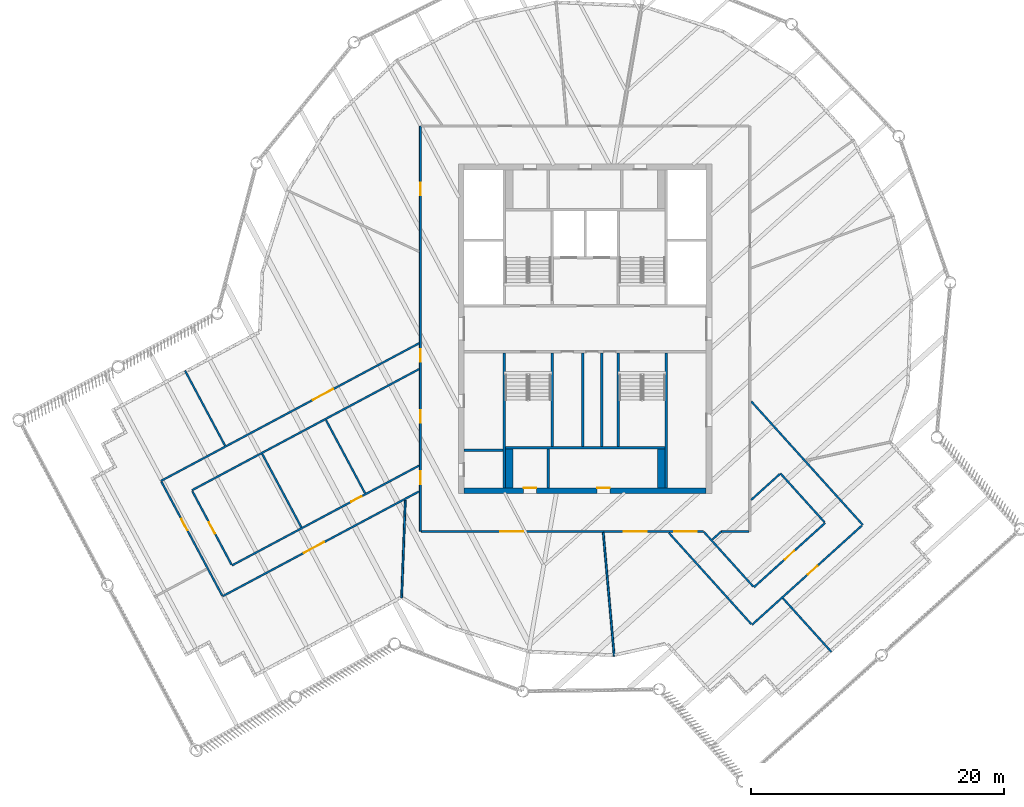
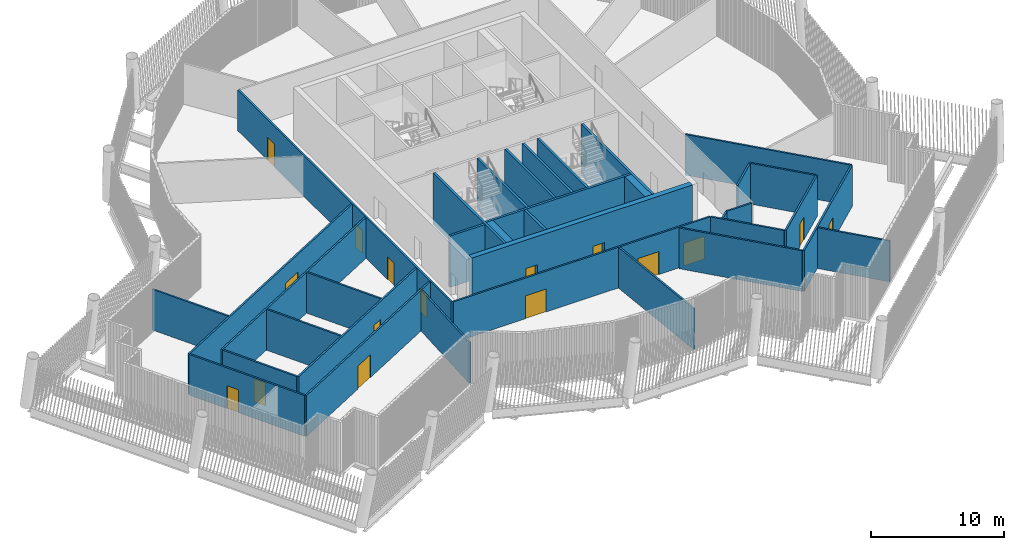
# One storey, part 3 of 21: 35 walls, 16 doors, 16 openings.
"""IFC4 building model written with IfcOpenShell, lengths in metres."""

from ifc_helpers import new_model, si_unit, direction, frame, frame_2d, origin, place, context, subcontext, project, spatial, rectangle, extrude, material, layer, layer_set, type_object, element, fill, save


model = new_model("IFC4")

# Units and contexts
model_context = context("Model", 3, precision=1e-05, world=origin(), true_north=direction((0.0, 1.0)))
body_context = subcontext(model_context, "Body", "Model", "MODEL_VIEW")
ifc_project = project(units=[si_unit("LENGTHUNIT", "METRE"), si_unit("AREAUNIT", "SQUARE_METRE"), si_unit("VOLUMEUNIT", "CUBIC_METRE"), si_unit("PLANEANGLEUNIT", "RADIAN"), si_unit("MASSUNIT", "GRAM", prefix="KILO")], contexts=[model_context])

# Site, building, storey
site_placement = place(None, origin())
site = spatial("IfcSite", under=ifc_project, at=site_placement, CompositionType="ELEMENT")
building_placement = place(site_placement, origin())
building = spatial("IfcBuilding", under=site, at=building_placement, Name="Tarsis Ring Headquarters", CompositionType="ELEMENT")
storey_placement = place(building_placement, frame((0.0, 0.0, 398.60009765625)))
storey = spatial("IfcBuildingStorey", under=building, at=storey_placement, Name="L94", CompositionType="ELEMENT", Elevation=398.60009765625)

# Walls
ifc_material_1 = material(Name="Blockwork", Category="masonry")
ifc_layer_1 = layer(ifc_material_1, 0.199951171875)
ifc_layer_set_1 = layer_set([ifc_layer_1], Name="Core blockwork wall 200")
wall_type_1 = type_object("IfcWallType", Name="Core blockwork wall 200", PredefinedType="PARTITIONING", material=ifc_layer_set_1)
for number, where, z_axis, x_axis, name in (
    (1, (-9.550048828125, -9.60009765625, 0.0), (0.0, 0.0, 1.0), (1.0, 0.0, 0.0), "Core partition WD1"),
    (2, (-2.89990234375, -12.550048828125, 0.0), (0.0, 0.0, 1.0), (0.0, 1.0, 0.0), "Core partition SD1"),
):
    element("IfcWall", number, at=place(storey_placement, frame(where, z_axis=z_axis, x_axis=x_axis)), inside=storey, type_object=wall_type_1, Name=name, PredefinedType="PARTITIONING", context=body_context, shape_type="SweptSolid", body=[
        extrude(rectangle(XDim=3.050048828125, YDim=0.199951171875, at=frame_2d((1.52490234375, 0.0))), origin(), (0.0, 0.0, 1.0), 4.699951171875),
    ])
for number, where, z_axis, x_axis, name in (
    (3, (-0.199951171875, -9.300048828125, 0.0), (0.0, 0.0, 1.0), (0.0, 1.0, 0.0), "Core partition SV1"),
    (4, (1.300048828125, -9.300048828125, 0.0), (0.0, 0.0, 1.0), (0.0, 1.0, 0.0), "Core partition SV2"),
):
    element("IfcWall", number, at=place(storey_placement, frame(where, z_axis=z_axis, x_axis=x_axis)), inside=storey, type_object=wall_type_1, Name=name, PredefinedType="PARTITIONING", context=body_context, shape_type="SweptSolid", body=[
        extrude(rectangle(XDim=7.400146484375, YDim=0.199951171875, at=frame_2d((3.7001953125, 0.0))), origin(), (0.0, 0.0, 1.0), 4.699951171875),
    ])

# Wall, openings, doors
ifc_material_2 = material(Name="Concrete C50/60", Category="concrete")
ifc_layer_2 = layer(ifc_material_2, 0.449951171875)
ifc_layer_set_2 = layer_set([ifc_layer_2], Name="Core wall 450 C50/60")
wall_type_2 = type_object("IfcWallType", Name="Core wall 450 C50/60", PredefinedType="SHEAR", material=ifc_layer_set_2)
wall_1_placement = place(storey_placement, frame((-9.550048828125, -12.77490234375, 0.0), z_axis=(0.0, 0.0, 1.0), x_axis=(1.0, 0.0, 0.0)))
wall_1 = element("IfcWall", 5, at=wall_1_placement, inside=storey, type_object=wall_type_2, Name="Core wall OS", PredefinedType="SHEAR", context=body_context, shape_type="SweptSolid", body=[
    extrude(rectangle(XDim=19.10009765625, YDim=0.449951171875, at=frame_2d((9.550048828125, 0.0))), origin(), (0.0, 0.0, 1.0), 4.699951171875),
])
opening_1_placement = place(wall_1_placement, frame((4.699951171875, 0.0, 0.0)))
opening_1 = element("IfcOpeningElement", 6, at=opening_1_placement, cuts=wall_1, Name="Opening L94-C09", PredefinedType="OPENING", context=body_context, shape_type="SweptSolid", body=[
    extrude(rectangle(XDim=1.0, YDim=2.10009765625, at=frame_2d((0.5, 1.050048828125))), frame((0.0, 0.23486328125, 0.0), z_axis=(0.0, -1.0, 0.0), x_axis=(1.0, 0.0, 0.0)), (0.0, 0.0, 1.0), 0.469970703125),
])
opening_2_placement = place(wall_1_placement, frame((10.5, 0.0, 0.0)))
opening_2 = element("IfcOpeningElement", 7, at=opening_2_placement, cuts=wall_1, Name="Opening L94-C10", PredefinedType="OPENING", context=body_context, shape_type="SweptSolid", body=[
    extrude(rectangle(XDim=1.0, YDim=2.10009765625, at=frame_2d((0.5, 1.050048828125))), frame((0.0, 0.23486328125, 0.0), z_axis=(0.0, -1.0, 0.0), x_axis=(1.0, 0.0, 0.0)), (0.0, 0.0, 1.0), 0.469970703125),
])
ifc_material_3 = material(Name="Steel S355", Category="steel")
door_type_1 = type_object("IfcDoorType", Name="Core room door 1000x2100", OperationType="SINGLE_SWING_LEFT", PredefinedType="DOOR", material=ifc_material_3)
door_1_placement = place(opening_1_placement, origin())
door_1 = element("IfcDoor", 8, at=door_1_placement, inside=storey, type_object=door_type_1, Name="Core room door L94", OperationType="SINGLE_SWING_LEFT", OverallHeight=2.10009765625, OverallWidth=1.0, PredefinedType="DOOR", context=body_context, shape_type="SweptSolid", body=[
    extrude(rectangle(XDim=1.0, YDim=2.10009765625, at=frame_2d((0.5, 1.050048828125))), frame((0.0, 0.22509765625, 0.0), z_axis=(0.0, -1.0, 0.0), x_axis=(1.0, 0.0, 0.0)), (0.0, 0.0, 1.0), 0.050048828125),
])
fill(opening_1, door_1)
door_2_placement = place(opening_2_placement, origin())
door_2 = element("IfcDoor", 9, at=door_2_placement, inside=storey, type_object=door_type_1, Name="Core room door L94", OperationType="SINGLE_SWING_LEFT", OverallHeight=2.10009765625, OverallWidth=1.0, PredefinedType="DOOR", context=body_context, shape_type="SweptSolid", body=[
    extrude(rectangle(XDim=1.0, YDim=2.10009765625, at=frame_2d((0.5, 1.050048828125))), frame((0.0, 0.22509765625, 0.0), z_axis=(0.0, -1.0, 0.0), x_axis=(1.0, 0.0, 0.0)), (0.0, 0.0, 1.0), 0.050048828125),
])
fill(opening_2, door_2)

ifc_material_4 = material(Name="Gypsum board on steel studs", Category="steel")
ifc_layer_3 = layer(ifc_material_4, 0.14990234375)
ifc_layer_set_3 = layer_set([ifc_layer_3], Name="FL partition 150 EI 120 H3730")
wall_type_3 = type_object("IfcWallType", Name="FL partition 150 EI 120 H3730", PredefinedType="PARTITIONING", material=ifc_layer_set_3)
wall_2_placement = place(storey_placement, frame((-13.0, -16.0, 0.0), z_axis=(0.0, 0.0, 1.0), x_axis=(0.0, 1.0, 0.0)))
wall_2 = element("IfcWall", 10, at=wall_2_placement, inside=storey, type_object=wall_type_3, Name="Partition PW2H373", PredefinedType="PARTITIONING", context=body_context, shape_type="SweptSolid", body=[
    extrude(rectangle(XDim=32.0, YDim=0.14990234375, at=frame_2d((16.0, 0.0))), origin(), (0.0, 0.0, 1.0), 3.72998046875),
])
opening_3_placement = place(wall_2_placement, frame((26.52001953125, 0.0, 0.0)))
opening_3 = element("IfcOpeningElement", 11, at=opening_3_placement, cuts=wall_2, Name="Opening D94.04", PredefinedType="OPENING", context=body_context, shape_type="SweptSolid", body=[
    extrude(rectangle(XDim=1.0, YDim=2.10009765625, at=frame_2d((0.5, 1.050048828125))), frame((0.0, 0.0849609375, 0.0), z_axis=(0.0, -1.0, 0.0), x_axis=(1.0, 0.0, 0.0)), (0.0, 0.0, 1.0), 0.169921875),
])
opening_4_placement = place(wall_2_placement, frame((8.564453125, 0.0, 0.0)))
opening_4 = element("IfcOpeningElement", 12, at=opening_4_placement, cuts=wall_2, Name="Opening D94.13", PredefinedType="OPENING", context=body_context, shape_type="SweptSolid", body=[
    extrude(rectangle(XDim=1.0, YDim=2.10009765625, at=frame_2d((0.5, 1.050048828125))), frame((0.0, 0.0849609375, 0.0), z_axis=(0.0, -1.0, 0.0), x_axis=(1.0, 0.0, 0.0)), (0.0, 0.0, 1.0), 0.169921875),
])
opening_5_placement = place(wall_2_placement, frame((3.736083984375, 0.0, 0.0)))
opening_5 = element("IfcOpeningElement", 13, at=opening_5_placement, cuts=wall_2, Name="Opening D94.19", PredefinedType="OPENING", context=body_context, shape_type="SweptSolid", body=[
    extrude(rectangle(XDim=1.0, YDim=2.10009765625, at=frame_2d((0.5, 1.050048828125))), frame((0.0, 0.0849609375, 0.0), z_axis=(0.0, -1.0, 0.0), x_axis=(1.0, 0.0, 0.0)), (0.0, 0.0, 1.0), 0.169921875),
])
opening_6_placement = place(wall_2_placement, frame((13.392822265625, 0.0, 0.0)))
opening_6 = element("IfcOpeningElement", 14, at=opening_6_placement, cuts=wall_2, Name="Opening D94.20", PredefinedType="OPENING", context=body_context, shape_type="SweptSolid", body=[
    extrude(rectangle(XDim=1.0, YDim=2.10009765625, at=frame_2d((0.5, 1.050048828125))), frame((0.0, 0.0849609375, 0.0), z_axis=(0.0, -1.0, 0.0), x_axis=(1.0, 0.0, 0.0)), (0.0, 0.0, 1.0), 0.169921875),
])
ifc_material_5 = material(Name="Fire-rated timber door leaf in steel frame", Category="steel")
door_type_2 = type_object("IfcDoorType", Name="FL door FD120-1000", OperationType="NOTDEFINED", PredefinedType="DOOR", material=ifc_material_5)
door_3_placement = place(opening_3_placement, origin())
door_3 = element("IfcDoor", 15, at=door_3_placement, inside=storey, type_object=door_type_2, Name="Door D94.04", OperationType="SINGLE_SWING_RIGHT", OverallHeight=2.10009765625, OverallWidth=1.0, PredefinedType="DOOR", context=body_context, shape_type="SweptSolid", body=[
    extrude(rectangle(XDim=1.0, YDim=2.10009765625, at=frame_2d((0.5, 1.050048828125))), frame((0.0, 0.02490234375, 0.0), z_axis=(0.0, -1.0, 0.0), x_axis=(1.0, 0.0, 0.0)), (0.0, 0.0, 1.0), 0.050048828125),
])
fill(opening_3, door_3)
door_4_placement = place(opening_4_placement, origin())
door_4 = element("IfcDoor", 16, at=door_4_placement, inside=storey, type_object=door_type_2, Name="Door D94.13", OperationType="SINGLE_SWING_LEFT", OverallHeight=2.10009765625, OverallWidth=1.0, PredefinedType="DOOR", context=body_context, shape_type="SweptSolid", body=[
    extrude(rectangle(XDim=1.0, YDim=2.10009765625, at=frame_2d((0.5, 1.050048828125))), frame((0.0, 0.02490234375, 0.0), z_axis=(0.0, -1.0, 0.0), x_axis=(1.0, 0.0, 0.0)), (0.0, 0.0, 1.0), 0.050048828125),
])
fill(opening_4, door_4)
door_5_placement = place(opening_5_placement, origin())
door_5 = element("IfcDoor", 17, at=door_5_placement, inside=storey, type_object=door_type_2, Name="Door D94.19", OperationType="SINGLE_SWING_LEFT", OverallHeight=2.10009765625, OverallWidth=1.0, PredefinedType="DOOR", context=body_context, shape_type="SweptSolid", body=[
    extrude(rectangle(XDim=1.0, YDim=2.10009765625, at=frame_2d((0.5, 1.050048828125))), frame((0.0, 0.02490234375, 0.0), z_axis=(0.0, -1.0, 0.0), x_axis=(1.0, 0.0, 0.0)), (0.0, 0.0, 1.0), 0.050048828125),
])
fill(opening_5, door_5)
door_6_placement = place(opening_6_placement, origin())
door_6 = element("IfcDoor", 18, at=door_6_placement, inside=storey, type_object=door_type_2, Name="Door D94.20", OperationType="SINGLE_SWING_RIGHT", OverallHeight=2.10009765625, OverallWidth=1.0, PredefinedType="DOOR", context=body_context, shape_type="SweptSolid", body=[
    extrude(rectangle(XDim=1.0, YDim=2.10009765625, at=frame_2d((0.5, 1.050048828125))), frame((0.0, 0.02490234375, 0.0), z_axis=(0.0, -1.0, 0.0), x_axis=(1.0, 0.0, 0.0)), (0.0, 0.0, 1.0), 0.050048828125),
])
fill(opening_6, door_6)

# Wall, opening, door
wall_3_placement = place(storey_placement, frame((-33.476806640625, -12.011474609375, 0.0), z_axis=(0.0, 0.0, 1.0), x_axis=(0.882290586613, 0.47070513145, 0.0)))
wall_3 = element("IfcWall", 19, at=wall_3_placement, inside=storey, type_object=wall_type_3, Name="Partition PW2H373", PredefinedType="PARTITIONING", context=body_context, shape_type="SweptSolid", body=[
    extrude(rectangle(XDim=23.088623046875, YDim=0.14990234375, at=frame_2d((11.54443359375, 0.0))), origin(), (0.0, 0.0, 1.0), 3.72998046875),
])
opening_7_placement = place(wall_3_placement, frame((13.587158203125, 0.0, 0.0)))
opening_7 = element("IfcOpeningElement", 20, at=opening_7_placement, cuts=wall_3, Name="Opening D94.03", PredefinedType="OPENING", context=body_context, shape_type="SweptSolid", body=[
    extrude(rectangle(XDim=1.800048828125, YDim=2.10009765625, at=frame_2d((0.89990234375, 1.050048828125))), frame((0.0, 0.0849609375, 0.0), z_axis=(0.0, -1.0, 0.0), x_axis=(1.0, 0.0, 0.0)), (0.0, 0.0, 1.0), 0.169921875),
])
door_type_3 = type_object("IfcDoorType", Name="FL door FD120-1800", OperationType="DOUBLE_DOOR_SINGLE_SWING", PredefinedType="DOOR", material=ifc_material_5)
door_7_placement = place(opening_7_placement, origin())
door_7 = element("IfcDoor", 21, at=door_7_placement, inside=storey, type_object=door_type_3, Name="Door D94.03", OperationType="DOUBLE_DOOR_SINGLE_SWING", OverallHeight=2.10009765625, OverallWidth=1.800048828125, PredefinedType="DOOR", context=body_context, shape_type="SweptSolid", body=[
    extrude(rectangle(XDim=1.800048828125, YDim=2.10009765625, at=frame_2d((0.89990234375, 1.050048828125))), frame((0.0, 0.02490234375, 0.0), z_axis=(0.0, -1.0, 0.0), x_axis=(1.0, 0.0, 0.0)), (0.0, 0.0, 1.0), 0.050048828125),
])
fill(opening_7, door_7)

# Wall, openings, doors
wall_4_placement = place(storey_placement, frame((-12.919921875, -16.0, 0.0), z_axis=(0.0, 0.0, 1.0), x_axis=(1.0, 0.0, 0.0)))
wall_4 = element("IfcWall", 22, at=wall_4_placement, inside=storey, type_object=wall_type_3, Name="Partition PW2H373", PredefinedType="PARTITIONING", context=body_context, shape_type="SweptSolid", body=[
    extrude(rectangle(XDim=22.260498046875, YDim=0.14990234375, at=frame_2d((11.13037109375, 0.0))), origin(), (0.0, 0.0, 1.0), 3.72998046875),
])
opening_8_placement = place(wall_4_placement, frame((15.98681640625, 0.0, 0.0)))
opening_8 = element("IfcOpeningElement", 23, at=opening_8_placement, cuts=wall_4, Name="Opening D94.11", PredefinedType="OPENING", context=body_context, shape_type="SweptSolid", body=[
    extrude(rectangle(XDim=1.800048828125, YDim=2.10009765625, at=frame_2d((0.89990234375, 1.050048828125))), frame((0.0, 0.0849609375, 0.0), z_axis=(0.0, -1.0, 0.0), x_axis=(1.0, 0.0, 0.0)), (0.0, 0.0, 1.0), 0.169921875),
])
opening_9_placement = place(wall_4_placement, frame((6.231201171875, 0.0, 0.0)))
opening_9 = element("IfcOpeningElement", 24, at=opening_9_placement, cuts=wall_4, Name="Opening D94.12", PredefinedType="OPENING", context=body_context, shape_type="SweptSolid", body=[
    extrude(rectangle(XDim=1.800048828125, YDim=2.10009765625, at=frame_2d((0.89990234375, 1.050048828125))), frame((0.0, 0.0849609375, 0.0), z_axis=(0.0, -1.0, 0.0), x_axis=(1.0, 0.0, 0.0)), (0.0, 0.0, 1.0), 0.169921875),
])
opening_10_placement = place(wall_4_placement, frame((19.94580078125, 0.0, 0.0)))
opening_10 = element("IfcOpeningElement", 25, at=opening_10_placement, cuts=wall_4, Name="Opening D94.17", PredefinedType="OPENING", context=body_context, shape_type="SweptSolid", body=[
    extrude(rectangle(XDim=1.800048828125, YDim=2.10009765625, at=frame_2d((0.89990234375, 1.050048828125))), frame((0.0, 0.0849609375, 0.0), z_axis=(0.0, -1.0, 0.0), x_axis=(1.0, 0.0, 0.0)), (0.0, 0.0, 1.0), 0.169921875),
])
door_8_placement = place(opening_8_placement, origin())
door_8 = element("IfcDoor", 26, at=door_8_placement, inside=storey, type_object=door_type_3, Name="Door D94.11", OperationType="DOUBLE_DOOR_SINGLE_SWING", OverallHeight=2.10009765625, OverallWidth=1.800048828125, PredefinedType="DOOR", context=body_context, shape_type="SweptSolid", body=[
    extrude(rectangle(XDim=1.800048828125, YDim=2.10009765625, at=frame_2d((0.89990234375, 1.050048828125))), frame((0.0, 0.02490234375, 0.0), z_axis=(0.0, -1.0, 0.0), x_axis=(1.0, 0.0, 0.0)), (0.0, 0.0, 1.0), 0.050048828125),
])
fill(opening_8, door_8)
door_9_placement = place(opening_9_placement, origin())
door_9 = element("IfcDoor", 27, at=door_9_placement, inside=storey, type_object=door_type_3, Name="Door D94.12", OperationType="DOUBLE_DOOR_SINGLE_SWING", OverallHeight=2.10009765625, OverallWidth=1.800048828125, PredefinedType="DOOR", context=body_context, shape_type="SweptSolid", body=[
    extrude(rectangle(XDim=1.800048828125, YDim=2.10009765625, at=frame_2d((0.89990234375, 1.050048828125))), frame((0.0, 0.02490234375, 0.0), z_axis=(0.0, -1.0, 0.0), x_axis=(1.0, 0.0, 0.0)), (0.0, 0.0, 1.0), 0.050048828125),
])
fill(opening_9, door_9)
door_10_placement = place(opening_10_placement, origin())
door_10 = element("IfcDoor", 28, at=door_10_placement, inside=storey, type_object=door_type_3, Name="Door D94.17", OperationType="DOUBLE_DOOR_SINGLE_SWING", OverallHeight=2.10009765625, OverallWidth=1.800048828125, PredefinedType="DOOR", context=body_context, shape_type="SweptSolid", body=[
    extrude(rectangle(XDim=1.800048828125, YDim=2.10009765625, at=frame_2d((0.89990234375, 1.050048828125))), frame((0.0, 0.02490234375, 0.0), z_axis=(0.0, -1.0, 0.0), x_axis=(1.0, 0.0, 0.0)), (0.0, 0.0, 1.0), 0.050048828125),
])
fill(opening_10, door_10)

# Wall
wall_5_placement = place(storey_placement, frame((-31.041259765625, -12.752197265625, 0.0), z_axis=(0.0, 0.0, 1.0), x_axis=(0.882289433991, 0.470707291921, 0.0)))
element("IfcWall", 29, at=wall_5_placement, inside=storey, type_object=wall_type_3, Name="Partition PW2H373", PredefinedType="PARTITIONING", context=body_context, shape_type="SweptSolid", body=[
    extrude(rectangle(XDim=20.328125, YDim=0.14990234375, at=frame_2d((10.1640625, 0.0))), origin(), (0.0, 0.0, 1.0), 3.72998046875),
])

# Wall, opening, door
wall_6_placement = place(storey_placement, frame((-28.618896484375, -21.11669921875, 0.0), z_axis=(0.0, 0.0, 1.0), x_axis=(0.882286821072, 0.470712189521, 0.0)))
wall_6 = element("IfcWall", 30, at=wall_6_placement, inside=storey, type_object=wall_type_3, Name="Partition PW2H373", PredefinedType="PARTITIONING", context=body_context, shape_type="SweptSolid", body=[
    extrude(rectangle(XDim=17.582763671875, YDim=0.14990234375, at=frame_2d((8.79150390625, 0.0))), origin(), (0.0, 0.0, 1.0), 3.72998046875),
])
opening_11_placement = place(wall_6_placement, frame((7.275390625, 0.0, 0.0)))
opening_11 = element("IfcOpeningElement", 31, at=opening_11_placement, cuts=wall_6, Name="Opening D94.01", PredefinedType="OPENING", context=body_context, shape_type="SweptSolid", body=[
    extrude(rectangle(XDim=1.800048828125, YDim=2.10009765625, at=frame_2d((0.89990234375, 1.050048828125))), frame((0.0, 0.0849609375, 0.0), z_axis=(0.0, -1.0, 0.0), x_axis=(1.0, 0.0, 0.0)), (0.0, 0.0, 1.0), 0.169921875),
])
door_11_placement = place(opening_11_placement, origin())
door_11 = element("IfcDoor", 32, at=door_11_placement, inside=storey, type_object=door_type_3, Name="Door D94.01", OperationType="DOUBLE_DOOR_SINGLE_SWING", OverallHeight=2.10009765625, OverallWidth=1.800048828125, PredefinedType="DOOR", context=body_context, shape_type="SweptSolid", body=[
    extrude(rectangle(XDim=1.800048828125, YDim=2.10009765625, at=frame_2d((0.89990234375, 1.050048828125))), frame((0.0, 0.02490234375, 0.0), z_axis=(0.0, -1.0, 0.0), x_axis=(1.0, 0.0, 0.0)), (0.0, 0.0, 1.0), 0.050048828125),
])
fill(opening_11, door_11)

wall_7_placement = place(storey_placement, frame((-27.878173828125, -18.681396484375, 0.0), z_axis=(0.0, 0.0, 1.0), x_axis=(0.882288753757, 0.470708566943, 0.0)))
wall_7 = element("IfcWall", 33, at=wall_7_placement, inside=storey, type_object=wall_type_3, Name="Partition PW2H373", PredefinedType="PARTITIONING", context=body_context, shape_type="SweptSolid", body=[
    extrude(rectangle(XDim=16.7431640625, YDim=0.14990234375, at=frame_2d((8.37158203125, 0.0))), origin(), (0.0, 0.0, 1.0), 3.72998046875),
])
opening_12_placement = place(wall_7_placement, frame((10.677490234375, 0.0, 0.0)))
opening_12 = element("IfcOpeningElement", 34, at=opening_12_placement, cuts=wall_7, Name="Opening D94.14", PredefinedType="OPENING", context=body_context, shape_type="SweptSolid", body=[
    extrude(rectangle(XDim=0.89990234375, YDim=2.10009765625, at=frame_2d((0.449951171875, 1.050048828125))), frame((0.0, 0.0849609375, 0.0), z_axis=(0.0, -1.0, 0.0), x_axis=(1.0, 0.0, 0.0)), (0.0, 0.0, 1.0), 0.169921875),
])
door_type_4 = type_object("IfcDoorType", Name="FL door FD120-900", OperationType="NOTDEFINED", PredefinedType="DOOR", material=ifc_material_5)
door_12_placement = place(opening_12_placement, origin())
door_12 = element("IfcDoor", 35, at=door_12_placement, inside=storey, type_object=door_type_4, Name="Door D94.14", OperationType="SINGLE_SWING_RIGHT", OverallHeight=2.10009765625, OverallWidth=0.89990234375, PredefinedType="DOOR", context=body_context, shape_type="SweptSolid", body=[
    extrude(rectangle(XDim=0.89990234375, YDim=2.10009765625, at=frame_2d((0.449951171875, 1.050048828125))), frame((0.0, 0.02490234375, 0.0), z_axis=(0.0, -1.0, 0.0), x_axis=(1.0, 0.0, 0.0)), (0.0, 0.0, 1.0), 0.050048828125),
])
fill(opening_12, door_12)

# Wall
wall_8_placement = place(storey_placement, frame((13.12060546875, -5.7421875, 0.0), z_axis=(0.0, 0.0, 1.0), x_axis=(0.67016818923, -0.742209268431, 0.0)))
element("IfcWall", 36, at=wall_8_placement, inside=storey, type_object=wall_type_3, Name="Partition PW2H373", PredefinedType="PARTITIONING", context=body_context, shape_type="SweptSolid", body=[
    extrude(rectangle(XDim=13.114990234375, YDim=0.14990234375, at=frame_2d((6.5576171875, 0.0))), origin(), (0.0, 0.0, 1.0), 3.72998046875),
])

# Wall, opening, door
wall_9_placement = place(storey_placement, frame((13.166748046875, -23.370849609375, 0.0), z_axis=(0.0, 0.0, 1.0), x_axis=(0.742215134242, 0.670161692804, 0.0)))
wall_9 = element("IfcWall", 37, at=wall_9_placement, inside=storey, type_object=wall_type_3, Name="Partition PW2H373", PredefinedType="PARTITIONING", context=body_context, shape_type="SweptSolid", body=[
    extrude(rectangle(XDim=11.699951171875, YDim=0.14990234375, at=frame_2d((5.85009765625, 0.0))), origin(), (0.0, 0.0, 1.0), 3.72998046875),
])
opening_13_placement = place(wall_9_placement, frame((5.95166015625, 0.0, 0.0)))
opening_13 = element("IfcOpeningElement", 38, at=opening_13_placement, cuts=wall_9, Name="Opening D94.10", PredefinedType="OPENING", context=body_context, shape_type="SweptSolid", body=[
    extrude(rectangle(XDim=1.0, YDim=2.10009765625, at=frame_2d((0.5, 1.050048828125))), frame((0.0, 0.0849609375, 0.0), z_axis=(0.0, -1.0, 0.0), x_axis=(1.0, 0.0, 0.0)), (0.0, 0.0, 1.0), 0.169921875),
])
door_13_placement = place(opening_13_placement, origin())
door_13 = element("IfcDoor", 39, at=door_13_placement, inside=storey, type_object=door_type_2, Name="Door D94.10", OperationType="SINGLE_SWING_RIGHT", OverallHeight=2.10009765625, OverallWidth=1.0, PredefinedType="DOOR", context=body_context, shape_type="SweptSolid", body=[
    extrude(rectangle(XDim=1.0, YDim=2.10009765625, at=frame_2d((0.5, 1.050048828125))), frame((0.0, 0.02490234375, 0.0), z_axis=(0.0, -1.0, 0.0), x_axis=(1.0, 0.0, 0.0)), (0.0, 0.0, 1.0), 0.050048828125),
])
fill(opening_13, door_13)

wall_10_placement = place(storey_placement, frame((-33.43896484375, -12.08203125, 0.0), z_axis=(0.0, 0.0, 1.0), x_axis=(0.470692997973, -0.882297059759, 0.0)))
wall_10 = element("IfcWall", 40, at=wall_10_placement, inside=storey, type_object=wall_type_3, Name="Partition PW2H373", PredefinedType="PARTITIONING", context=body_context, shape_type="SweptSolid", body=[
    extrude(rectangle(XDim=10.159912109375, YDim=0.14990234375, at=frame_2d((5.080078125, 0.0))), origin(), (0.0, 0.0, 1.0), 3.72998046875),
])
opening_14_placement = place(wall_10_placement, frame((3.333251953125, 0.0, 0.0)))
opening_14 = element("IfcOpeningElement", 41, at=opening_14_placement, cuts=wall_10, Name="Opening D94.02", PredefinedType="OPENING", context=body_context, shape_type="SweptSolid", body=[
    extrude(rectangle(XDim=1.0, YDim=2.10009765625, at=frame_2d((0.5, 1.050048828125))), frame((0.0, 0.0849609375, 0.0), z_axis=(0.0, -1.0, 0.0), x_axis=(1.0, 0.0, 0.0)), (0.0, 0.0, 1.0), 0.169921875),
])
door_14_placement = place(opening_14_placement, origin())
door_14 = element("IfcDoor", 42, at=door_14_placement, inside=storey, type_object=door_type_2, Name="Door D94.02", OperationType="SINGLE_SWING_RIGHT", OverallHeight=2.10009765625, OverallWidth=1.0, PredefinedType="DOOR", context=body_context, shape_type="SweptSolid", body=[
    extrude(rectangle(XDim=1.0, YDim=2.10009765625, at=frame_2d((0.5, 1.050048828125))), frame((0.0, 0.02490234375, 0.0), z_axis=(0.0, -1.0, 0.0), x_axis=(1.0, 0.0, 0.0)), (0.0, 0.0, 1.0), 0.050048828125),
])
fill(opening_14, door_14)

# Walls
wall_11_placement = place(storey_placement, frame((6.61181640625, -16.111328125, 0.0), z_axis=(0.0, 0.0, 1.0), x_axis=(0.6701624057, -0.742214490552, 0.0)))
element("IfcWall", 43, at=wall_11_placement, inside=storey, type_object=wall_type_3, Name="Partition PW2H373", PredefinedType="PARTITIONING", context=body_context, shape_type="SweptSolid", body=[
    extrude(rectangle(XDim=9.700927734375, YDim=0.14990234375, at=frame_2d((4.8505859375, 0.0))), origin(), (0.0, 0.0, 1.0), 3.72998046875),
])
wall_12_placement = place(storey_placement, frame((1.429443359375, -16.07958984375, 0.0), z_axis=(0.0, 0.0, 1.0), x_axis=(0.088544182237, -0.996072250287, 0.0)))
element("IfcWall", 44, at=wall_12_placement, inside=storey, type_object=wall_type_3, Name="Partition PW2H373", PredefinedType="PARTITIONING", context=body_context, shape_type="SweptSolid", body=[
    extrude(rectangle(XDim=9.804931640625, YDim=0.14990234375, at=frame_2d((4.90234375, 0.0))), origin(), (0.0, 0.0, 1.0), 3.72998046875),
])
wall_13_placement = place(storey_placement, frame((-14.48486328125, -21.243408203125, 0.0), z_axis=(0.0, 0.0, 1.0), x_axis=(0.037878476616, 0.999282352996, 0.0)))
element("IfcWall", 45, at=wall_13_placement, inside=storey, type_object=wall_type_3, Name="Partition PW2H373", PredefinedType="PARTITIONING", context=body_context, shape_type="SweptSolid", body=[
    extrude(rectangle(XDim=7.708740234375, YDim=0.14990234375, at=frame_2d((3.8544921875, 0.0))), origin(), (0.0, 0.0, 1.0), 3.72998046875),
])

# Wall, opening, door
wall_14_placement = place(storey_placement, frame((13.318115234375, -20.40478515625, 0.0), z_axis=(0.0, 0.0, 1.0), x_axis=(0.742215302704, 0.67016150623, 0.0)))
wall_14 = element("IfcWall", 46, at=wall_14_placement, inside=storey, type_object=wall_type_3, Name="Partition PW2H373", PredefinedType="PARTITIONING", context=body_context, shape_type="SweptSolid", body=[
    extrude(rectangle(XDim=7.57958984375, YDim=0.14990234375, at=frame_2d((3.789794921875, 0.0))), origin(), (0.0, 0.0, 1.0), 3.72998046875),
])
opening_15_placement = place(wall_14_placement, frame((3.2900390625, 0.0, 0.0)))
opening_15 = element("IfcOpeningElement", 47, at=opening_15_placement, cuts=wall_14, Name="Opening D94.16", PredefinedType="OPENING", context=body_context, shape_type="SweptSolid", body=[
    extrude(rectangle(XDim=1.0, YDim=2.10009765625, at=frame_2d((0.5, 1.050048828125))), frame((0.0, 0.0849609375, 0.0), z_axis=(0.0, -1.0, 0.0), x_axis=(1.0, 0.0, 0.0)), (0.0, 0.0, 1.0), 0.169921875),
])
door_15_placement = place(opening_15_placement, origin())
door_15 = element("IfcDoor", 48, at=door_15_placement, inside=storey, type_object=door_type_2, Name="Door D94.16", OperationType="SINGLE_SWING_RIGHT", OverallHeight=2.10009765625, OverallWidth=1.0, PredefinedType="DOOR", context=body_context, shape_type="SweptSolid", body=[
    extrude(rectangle(XDim=1.0, YDim=2.10009765625, at=frame_2d((0.5, 1.050048828125))), frame((0.0, 0.02490234375, 0.0), z_axis=(0.0, -1.0, 0.0), x_axis=(1.0, 0.0, 0.0)), (0.0, 0.0, 1.0), 0.050048828125),
])
fill(opening_15, door_15)

wall_15_placement = place(storey_placement, frame((-31.003662109375, -12.822998046875, 0.0), z_axis=(0.0, 0.0, 1.0), x_axis=(0.470727312257, -0.882278752717, 0.0)))
wall_15 = element("IfcWall", 49, at=wall_15_placement, inside=storey, type_object=wall_type_3, Name="Partition PW2H373", PredefinedType="PARTITIONING", context=body_context, shape_type="SweptSolid", body=[
    extrude(rectangle(XDim=6.559814453125, YDim=0.14990234375, at=frame_2d((3.27978515625, 0.0))), origin(), (0.0, 0.0, 1.0), 3.72998046875),
])
opening_16_placement = place(wall_15_placement, frame((2.780029296875, 0.0, 0.0)))
opening_16 = element("IfcOpeningElement", 50, at=opening_16_placement, cuts=wall_15, Name="Opening D94.15", PredefinedType="OPENING", context=body_context, shape_type="SweptSolid", body=[
    extrude(rectangle(XDim=1.0, YDim=2.10009765625, at=frame_2d((0.5, 1.050048828125))), frame((0.0, 0.0849609375, 0.0), z_axis=(0.0, -1.0, 0.0), x_axis=(1.0, 0.0, 0.0)), (0.0, 0.0, 1.0), 0.169921875),
])
door_16_placement = place(opening_16_placement, origin())
door_16 = element("IfcDoor", 51, at=door_16_placement, inside=storey, type_object=door_type_2, Name="Door D94.15", OperationType="SINGLE_SWING_LEFT", OverallHeight=2.10009765625, OverallWidth=1.0, PredefinedType="DOOR", context=body_context, shape_type="SweptSolid", body=[
    extrude(rectangle(XDim=1.0, YDim=2.10009765625, at=frame_2d((0.5, 1.050048828125))), frame((0.0, 0.02490234375, 0.0), z_axis=(0.0, -1.0, 0.0), x_axis=(1.0, 0.0, 0.0)), (0.0, 0.0, 1.0), 0.050048828125),
])
fill(opening_16, door_16)

# Walls
wall_16_placement = place(storey_placement, frame((-20.460205078125, -7.197998046875, 0.0), z_axis=(0.0, 0.0, 1.0), x_axis=(0.470711855779, -0.882286999127, 0.0)))
element("IfcWall", 52, at=wall_16_placement, inside=storey, type_object=wall_type_3, Name="Partition PW2H373", PredefinedType="PARTITIONING", context=body_context, shape_type="SweptSolid", body=[
    extrude(rectangle(XDim=6.56005859375, YDim=0.14990234375, at=frame_2d((3.280029296875, 0.0))), origin(), (0.0, 0.0, 1.0), 3.72998046875),
])
wall_17_placement = place(storey_placement, frame((-25.4892578125, -9.881103515625, 0.0), z_axis=(0.0, 0.0, 1.0), x_axis=(0.470698340783, -0.882294209425, 0.0)))
element("IfcWall", 53, at=wall_17_placement, inside=storey, type_object=wall_type_3, Name="Partition PW2H373", PredefinedType="PARTITIONING", context=body_context, shape_type="SweptSolid", body=[
    extrude(rectangle(XDim=6.559814453125, YDim=0.14990234375, at=frame_2d((3.27978515625, 0.0))), origin(), (0.0, 0.0, 1.0), 3.72998046875),
])
wall_18_placement = place(storey_placement, frame((-31.581787109375, -3.3046875, 0.0), z_axis=(0.0, 0.0, 1.0), x_axis=(0.470678881047, -0.882304590794, 0.0)))
element("IfcWall", 54, at=wall_18_placement, inside=storey, type_object=wall_type_3, Name="Partition PW2H373", PredefinedType="PARTITIONING", context=body_context, shape_type="SweptSolid", body=[
    extrude(rectangle(XDim=6.7099609375, YDim=0.14990234375, at=frame_2d((3.35498046875, 0.0))), origin(), (0.0, 0.0, 1.0), 3.72998046875),
])
wall_19_placement = place(storey_placement, frame((9.3740234375, -16.037109375, 0.0), z_axis=(0.0, 0.0, 1.0), x_axis=(0.670188374749, -0.742191041681, 0.0)))
element("IfcWall", 55, at=wall_19_placement, inside=storey, type_object=wall_type_3, Name="Partition PW2H373", PredefinedType="PARTITIONING", context=body_context, shape_type="SweptSolid", body=[
    extrude(rectangle(XDim=5.804931640625, YDim=0.14990234375, at=frame_2d((2.90234375, 0.0))), origin(), (0.0, 0.0, 1.0), 3.72998046875),
])
wall_20_placement = place(storey_placement, frame((15.610107421875, -21.2724609375, 0.0), z_axis=(0.0, 0.0, 1.0), x_axis=(0.670189616809, -0.742189920116, 0.0)))
element("IfcWall", 56, at=wall_20_placement, inside=storey, type_object=wall_type_3, Name="Partition PW2H373", PredefinedType="PARTITIONING", context=body_context, shape_type="SweptSolid", body=[
    extrude(rectangle(XDim=5.699951171875, YDim=0.14990234375, at=frame_2d((2.85009765625, 0.0))), origin(), (0.0, 0.0, 1.0), 3.72998046875),
])
wall_21_placement = place(storey_placement, frame((15.41845703125, -11.420654296875, 0.0), z_axis=(0.0, 0.0, 1.0), x_axis=(0.670184950156, -0.742194134027, 0.0)))
element("IfcWall", 57, at=wall_21_placement, inside=storey, type_object=wall_type_3, Name="Partition PW2H373", PredefinedType="PARTITIONING", context=body_context, shape_type="SweptSolid", body=[
    extrude(rectangle(XDim=5.1806640625, YDim=0.14990234375, at=frame_2d((2.59033203125, 0.0))), origin(), (0.0, 0.0, 1.0), 3.72998046875),
])
wall_22_placement = place(storey_placement, frame((13.11181640625, -13.504150390625, 0.0), z_axis=(0.0, 0.0, 1.0), x_axis=(0.742186721842, 0.670193158665, 0.0)))
element("IfcWall", 58, at=wall_22_placement, inside=storey, type_object=wall_type_3, Name="Partition PW2H373", PredefinedType="PARTITIONING", context=body_context, shape_type="SweptSolid", body=[
    extrude(rectangle(XDim=3.0283203125, YDim=0.14990234375, at=frame_2d((1.51416015625, 0.0))), origin(), (0.0, 0.0, 1.0), 3.72998046875),
])
wall_23_placement = place(storey_placement, frame((10.752685546875, -16.0, 0.0), z_axis=(0.0, 0.0, 1.0), x_axis=(1.0, 0.0, 0.0)))
element("IfcWall", 59, at=wall_23_placement, inside=storey, type_object=wall_type_3, Name="Partition PW2H373", PredefinedType="PARTITIONING", context=body_context, shape_type="SweptSolid", body=[
    extrude(rectangle(XDim=2.166259765625, YDim=0.14990234375, at=frame_2d((1.0830078125, 0.0))), origin(), (0.0, 0.0, 1.0), 3.72998046875),
])
wall_24_placement = place(storey_placement, frame((10.033203125, -16.647705078125, 0.0), z_axis=(0.0, 0.0, 1.0), x_axis=(0.742102642751, 0.670286257969, 0.0)))
element("IfcWall", 60, at=wall_24_placement, inside=storey, type_object=wall_type_3, Name="Partition PW2H373", PredefinedType="PARTITIONING", context=body_context, shape_type="SweptSolid", body=[
    extrude(rectangle(XDim=0.927978515625, YDim=0.14990234375, at=frame_2d((0.4638671875, 0.0))), origin(), (0.0, 0.0, 1.0), 3.72998046875),
])
ifc_material_6 = material(Name="Concrete C32/40", Category="concrete")
ifc_layer_4 = layer(ifc_material_6, 0.60009765625)
ifc_layer_set_4 = layer_set([ifc_layer_4], Name="Shaft end wall 600 C32/40")
wall_type_4 = type_object("IfcWallType", Name="Shaft end wall 600 C32/40", PredefinedType="SOLIDWALL", material=ifc_layer_set_4)
for number, where, z_axis, x_axis, name in (
    (61, (-6.0, -12.550048828125, 0.0), (0.0, 0.0, 1.0), (0.0, 1.0, 0.0), "Core shaft wall SNE1"),
    (62, (6.0, -12.550048828125, 0.0), (0.0, 0.0, 1.0), (0.0, 1.0, 0.0), "Core shaft wall SNE2"),
):
    element("IfcWall", number, at=place(storey_placement, frame(where, z_axis=z_axis, x_axis=x_axis)), inside=storey, type_object=wall_type_4, Name=name, PredefinedType="SOLIDWALL", context=body_context, shape_type="SweptSolid", body=[
        extrude(rectangle(XDim=3.050048828125, YDim=0.60009765625, at=frame_2d((1.52490234375, 0.0))), origin(), (0.0, 0.0, 1.0), 4.699951171875),
    ])
ifc_layer_5 = layer(ifc_material_6, 0.199951171875)
ifc_layer_set_5 = layer_set([ifc_layer_5], Name="Shaft wall 200 C32/40")
wall_type_5 = type_object("IfcWallType", Name="Shaft wall 200 C32/40", PredefinedType="SOLIDWALL", material=ifc_layer_set_5)
for number, where, z_axis, x_axis, name in (
    (63, (-6.39990234375, -12.550048828125, 0.0), (0.0, 0.0, 1.0), (0.0, 1.0, 0.0), "Core shaft wall WB1"),
    (64, (6.39990234375, -12.550048828125, 0.0), (0.0, 0.0, 1.0), (0.0, 1.0, 0.0), "Core shaft wall EB1"),
):
    element("IfcWall", number, at=place(storey_placement, frame(where, z_axis=z_axis, x_axis=x_axis)), inside=storey, type_object=wall_type_5, Name=name, PredefinedType="SOLIDWALL", context=body_context, shape_type="SweptSolid", body=[
        extrude(rectangle(XDim=10.650146484375, YDim=0.199951171875, at=frame_2d((5.3251953125, 0.0))), origin(), (0.0, 0.0, 1.0), 4.699951171875),
    ])
wall_25_placement = place(storey_placement, frame((-6.300048828125, -9.39990234375, 0.0), z_axis=(0.0, 0.0, 1.0), x_axis=(1.0, 0.0, 0.0)))
element("IfcWall", 65, at=wall_25_placement, inside=storey, type_object=wall_type_5, Name="Core shaft wall SB", PredefinedType="SOLIDWALL", context=body_context, shape_type="SweptSolid", body=[
    extrude(rectangle(XDim=12.60009765625, YDim=0.199951171875, at=frame_2d((6.300048828125, 0.0))), origin(), (0.0, 0.0, 1.0), 4.699951171875),
])
for number, where, z_axis, x_axis, name in (
    (66, (-2.60009765625, -9.300048828125, 0.0), (0.0, 0.0, 1.0), (0.0, 1.0, 0.0), "Core shaft wall SW3"),
    (67, (2.60009765625, -9.300048828125, 0.0), (0.0, 0.0, 1.0), (0.0, 1.0, 0.0), "Core shaft wall SW4"),
):
    element("IfcWall", number, at=place(storey_placement, frame(where, z_axis=z_axis, x_axis=x_axis)), inside=storey, type_object=wall_type_5, Name=name, PredefinedType="SOLIDWALL", context=body_context, shape_type="SweptSolid", body=[
        extrude(rectangle(XDim=7.400146484375, YDim=0.199951171875, at=frame_2d((3.7001953125, 0.0))), origin(), (0.0, 0.0, 1.0), 4.699951171875),
    ])

save(model, "model.ifc")
